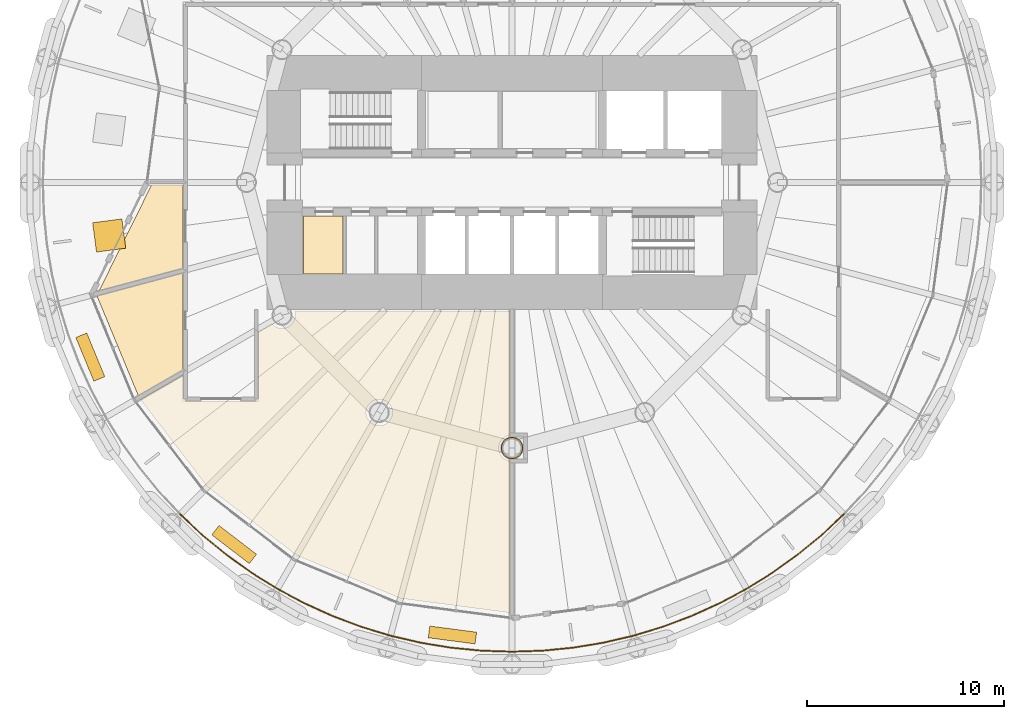
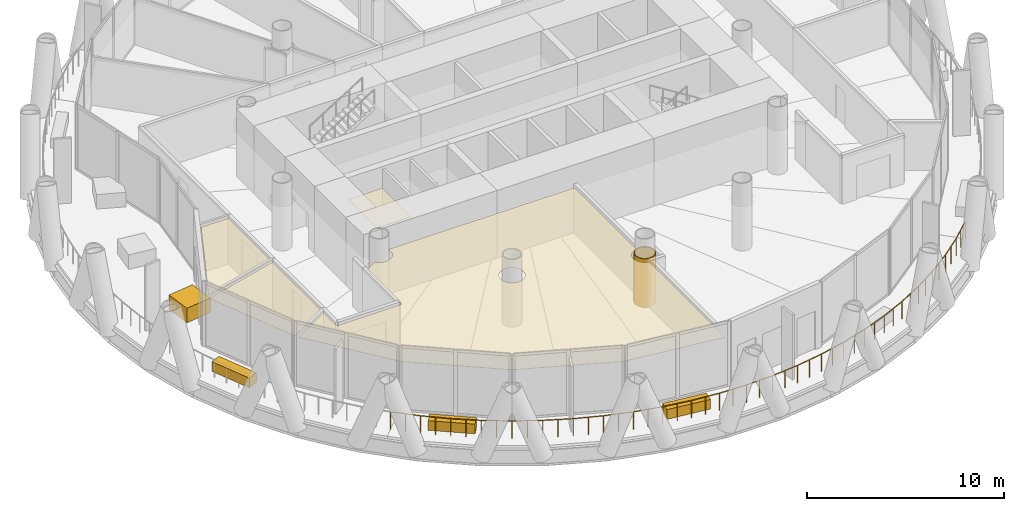
# One storey, part 13 of 16: 9 coverings, 1 railing.
"""IFC4 building model written with IfcOpenShell, lengths in metres."""

import ifcopenshell
import ifcopenshell.guid

model = None  # the IFC model being written
_history = None  # IfcOwnerHistory: only IFC2X3 demands one
_inside = {}  # id of a spatial element -> (the spatial element, [elements in it])
_under = {}  # id of a project, library or spatial element -> (it, [spatial elements below it])
_declared = {}  # id of a project -> (the project, [libraries it declares])
_typed = {}  # id of a type object -> (the type object, [elements of that type])
_made_of = {}  # id of a material, layer set ... -> (it, [elements and type objects made of it])


def new_model(schema):
    """Start an empty IFC model of exactly this schema.

    Asked for "IFC4X3", IfcOpenShell would pick the latest addendum, in which some entities
    have other attributes; the version numbers below select the first issue.
    IFC2X3 requires an IfcOwnerHistory on every rooted entity: one is made here for all.
    """
    global model, _history
    if schema == "IFC4X3":
        model = ifcopenshell.file(schema_version=(4, 3, 0, 0))
    else:
        model = ifcopenshell.file(schema=schema)
    _inside.clear()
    _under.clear()
    _declared.clear()
    _typed.clear()
    _made_of.clear()
    _history = None
    if model.schema == "IFC2X3":
        org = make("IfcOrganization", Name="unknown")
        user = make(
            "IfcPersonAndOrganization",
            ThePerson=make("IfcPerson", FamilyName="unknown"),
            TheOrganization=org,
        )
        app = make(
            "IfcApplication",
            ApplicationDeveloper=org,
            Version="unknown",
            ApplicationFullName="unknown",
            ApplicationIdentifier="unknown",
        )
        _history = make(
            "IfcOwnerHistory",
            OwningUser=user,
            OwningApplication=app,
            ChangeAction="ADDED",
            CreationDate=0,
        )
    return model


def make(cls, **values):
    """One entity of the class cls with the attributes given. An attribute that is None is left unset."""
    return model.create_entity(
        cls, **{name: value for name, value in values.items() if value is not None}
    )


def rooted(cls, **values):
    """An entity with a GlobalId (a new one), such as an element, a storey or a relation."""
    return make(cls, GlobalId=ifcopenshell.guid.new(), OwnerHistory=_history, **values)


def si_unit(unit_type, name, prefix=None):
    """IfcSIUnit, for example si_unit("LENGTHUNIT", "METRE", prefix="MILLI")."""
    return make("IfcSIUnit", UnitType=unit_type, Prefix=prefix, Name=name)


def assignment(units):
    """IfcUnitAssignment: the units of a project."""
    return None if units is None else make("IfcUnitAssignment", Units=units)


def point(xyz):
    """IfcCartesianPoint."""
    return None if xyz is None else make("IfcCartesianPoint", Coordinates=xyz)


def direction(xyz):
    """IfcDirection."""
    return None if xyz is None else make("IfcDirection", DirectionRatios=xyz)


def frame(location, z_axis=None, x_axis=None):
    """IfcAxis2Placement3D, a coordinate frame: its origin and axes. An axis left out is left unset."""
    return make(
        "IfcAxis2Placement3D",
        Location=point(location),
        Axis=direction(z_axis),
        RefDirection=direction(x_axis),
    )


def frame_2d(location, x_axis=None):
    """IfcAxis2Placement2D, a coordinate frame in the plane: its origin and x axis."""
    return make(
        "IfcAxis2Placement2D", Location=point(location), RefDirection=direction(x_axis)
    )


def origin():
    """The frame at (0, 0, 0) with its axes left unset."""
    return frame((0.0, 0.0, 0.0))


def origin_2d():
    """The frame at (0, 0) in the plane with its x axis left unset."""
    return frame_2d((0.0, 0.0))


def place(relative_to, where):
    """IfcLocalPlacement: puts the frame where relative to a parent placement (None: the world)."""
    return make(
        "IfcLocalPlacement", PlacementRelTo=relative_to, RelativePlacement=where
    )


def context(
    kind, dimensions, precision=None, world=None, true_north=None, identifier=None
):
    """IfcGeometricRepresentationContext, for example the 3D "Model" context."""
    return make(
        "IfcGeometricRepresentationContext",
        ContextIdentifier=identifier,
        ContextType=kind,
        CoordinateSpaceDimension=dimensions,
        Precision=precision,
        WorldCoordinateSystem=world,
        TrueNorth=true_north,
    )


def subcontext(parent, identifier, kind, view, scale=None):
    """IfcGeometricRepresentationSubContext, for example "Body" below "Model"."""
    return make(
        "IfcGeometricRepresentationSubContext",
        ContextIdentifier=identifier,
        ContextType=kind,
        ParentContext=parent,
        TargetScale=scale,
        TargetView=view,
    )


def project(units=None, contexts=None):
    """IfcProject with its units and contexts."""
    return rooted(
        "IfcProject",
        Name="project",
        RepresentationContexts=contexts,
        UnitsInContext=assignment(units),
    )


def spatial(cls, under=None, at=None, **own):
    """A site, building, storey or space (cls), placed at a placement, below another one or the project."""
    s = rooted(cls, ObjectPlacement=at, **own)
    if under is not None:
        _under.setdefault(under.id(), (under, []))[1].append(s)
    return s


def polyline(points):
    """IfcPolyline through the points."""
    return make("IfcPolyline", Points=[point(p) for p in points])


def profile(cls, at=None, kind="AREA", **sizes):
    """A parametric profile (cls). Its sizes go by their IFC names, for example OverallWidth=200.0."""
    return make(cls, ProfileType=kind, Position=at, **sizes)


def rectangle(**sizes):
    """IfcRectangleProfileDef."""
    return profile("IfcRectangleProfileDef", **sizes)


def circle(**sizes):
    """IfcCircleProfileDef."""
    return profile("IfcCircleProfileDef", **sizes)


def outline(outer, holes=None, kind="AREA"):
    """IfcArbitraryClosedProfileDef: a profile drawn as a closed curve; with holes, ...WithVoids."""
    if holes is None:
        return make("IfcArbitraryClosedProfileDef", ProfileType=kind, OuterCurve=outer)
    return make(
        "IfcArbitraryProfileDefWithVoids",
        ProfileType=kind,
        OuterCurve=outer,
        InnerCurves=holes,
    )


def extrude(swept, where, along, depth):
    """IfcExtrudedAreaSolid: the profile swept, set in the frame where, extruded along a direction by depth."""
    return make(
        "IfcExtrudedAreaSolid",
        SweptArea=swept,
        Position=where,
        ExtrudedDirection=direction(along),
        Depth=depth,
    )


def shape(context_of_items, identifier, shape_type, items):
    """IfcShapeRepresentation: the items that make up one representation, for example the "Body"."""
    return make(
        "IfcShapeRepresentation",
        ContextOfItems=context_of_items,
        RepresentationIdentifier=identifier,
        RepresentationType=shape_type,
        Items=items,
    )


def material(Name=None, Category=None):
    """IfcMaterial."""
    return make("IfcMaterial", Name=Name, Category=Category)


def layer(
    of_material, thickness, ventilated=None, Name=None, Category=None, Priority=None
):
    """IfcMaterialLayer: one layer of a wall or slab, of a material (None: an air gap)."""
    return make(
        "IfcMaterialLayer",
        Material=of_material,
        LayerThickness=thickness,
        IsVentilated=ventilated,
        Name=Name,
        Category=Category,
        Priority=Priority,
    )


def layer_set(layers, Name=None):
    """IfcMaterialLayerSet."""
    return make("IfcMaterialLayerSet", MaterialLayers=layers, LayerSetName=Name)


def made_of(thing, what):
    """Note that an element or type object is made of a material, layer set ...; save() writes the relation."""
    if what is not None:
        _made_of.setdefault(what.id(), (what, []))[1].append(thing)
    return thing


def type_object(cls, material=None, **own):
    """A type object (cls), such as IfcWallType, which elements share."""
    return made_of(rooted(cls, **own), material)


def element(
    cls,
    number,
    at=None,
    inside=None,
    cuts=None,
    type_object=None,
    material=None,
    context=None,
    identifier="Body",
    shape_type=None,
    held_by="IfcProductDefinitionShape",
    body=None,
    shapes=None,
    **own,
):
    """One element of the class cls, such as IfcWall. Its Tag is "e" and its number.

    at: its placement. inside: the storey or other place that contains it. cuts: it is an
    opening in that element (IfcRelVoidsElement). A single representation is given by context,
    identifier, shape_type and body (its items); several are given by shapes. held_by: the class
    of the entity that holds the representations. save() writes the other relations.
    """
    e = rooted(cls, Tag="e%d" % number, ObjectPlacement=at, **own)
    if body is not None:
        shapes = [shape(context, identifier, shape_type, body)]
    if shapes is not None:
        e.Representation = make(held_by, Representations=shapes)
    if inside is not None:
        _inside.setdefault(inside.id(), (inside, []))[1].append(e)
    if cuts is not None:
        rooted(
            "IfcRelVoidsElement", RelatingBuildingElement=cuts, RelatedOpeningElement=e
        )
    if type_object is not None:
        _typed.setdefault(type_object.id(), (type_object, []))[1].append(e)
    return made_of(e, material)


def aggregate(whole, parts):
    """IfcRelAggregates: a whole, such as a stair, and the parts it consists of."""
    return rooted("IfcRelAggregates", RelatingObject=whole, RelatedObjects=parts)


def save(model, path):
    """Write the relations noted so far, then the file.

    IfcRelAggregates (storeys below a building ...), IfcRelContainedInSpatialStructure (elements
    in a storey), IfcRelDefinesByType, IfcRelAssociatesMaterial and IfcRelDeclares: one each for
    every whole, place, type object, material and project.
    """
    for whole, parts in _under.values():
        aggregate(whole, parts)
    for where, things in _inside.values():
        rooted(
            "IfcRelContainedInSpatialStructure",
            RelatedElements=things,
            RelatingStructure=where,
        )
    for kind, things in _typed.values():
        rooted("IfcRelDefinesByType", RelatedObjects=things, RelatingType=kind)
    for what, things in _made_of.values():
        rooted("IfcRelAssociatesMaterial", RelatedObjects=things, RelatingMaterial=what)
    for by, libraries in _declared.values():
        rooted("IfcRelDeclares", RelatingContext=by, RelatedDefinitions=libraries)
    model.write(path)


model = new_model("IFC4")

# Units and contexts
model_context = context("Model", 3, precision=1e-05, world=origin(), true_north=direction((0.0, 1.0)))
body_context = subcontext(model_context, "Body", "Model", "MODEL_VIEW")
ifc_project = project(units=[si_unit("LENGTHUNIT", "METRE"), si_unit("AREAUNIT", "SQUARE_METRE"), si_unit("VOLUMEUNIT", "CUBIC_METRE"), si_unit("PLANEANGLEUNIT", "RADIAN"), si_unit("MASSUNIT", "GRAM", prefix="KILO")], contexts=[model_context])

# Site, building, storey
site_placement = place(None, origin())
site = spatial("IfcSite", under=ifc_project, at=site_placement, CompositionType="ELEMENT")
building_placement = place(site_placement, origin())
building = spatial("IfcBuilding", under=site, at=building_placement, Name="Qaws Media Tower", CompositionType="ELEMENT")
storey_placement = place(building_placement, frame((0.0, 0.0, 173.0)))
storey = spatial("IfcBuildingStorey", under=building, at=storey_placement, Name="L39", CompositionType="ELEMENT", Elevation=173.0)

# Railing
ifc_material_1 = material(Name="Stainless steel and glass guard", Category="steel")
railing_type = type_object("IfcRailingType", Name="Balcony guard 1100", PredefinedType="GUARDRAIL", material=ifc_material_1)
railing_placement = place(storey_placement, frame((43.135498046875, 33.135498046875, 0.0)))
element("IfcRailing", 1, at=railing_placement, inside=storey, type_object=railing_type, Name="GR1 balcony guard L39-3", PredefinedType="GUARDRAIL", context=body_context, shape_type="SweptSolid", body=[
    extrude(circle(Radius=0.02392578125, at=origin_2d()), frame((0.0, 0.0, 1.076171875), z_axis=(0.729878581292, -0.683576811025, 0.0), x_axis=(0.683576811025, 0.729878581292, 0.0)), (0.0, 0.0, 1.0), 1.560791015625),
    extrude(circle(Radius=0.02392578125, at=origin_2d()), frame((1.13916015625, -1.06689453125, 1.076171875), z_axis=(0.773008451366, -0.634395723596, 0.0), x_axis=(0.634395723596, 0.773008451366, 0.0)), (0.0, 0.0, 1.0), 1.560546875),
    extrude(circle(Radius=0.02392578125, at=origin_2d()), frame((2.345458984375, -2.056884765625, 1.076171875), z_axis=(0.812855388371, -0.582465550566, 0.0), x_axis=(0.582465550566, 0.812855388371, 0.0)), (0.0, 0.0, 1.0), 1.56103515625),
    extrude(circle(Radius=0.02392578125, at=origin_2d()), frame((3.6142578125, -2.966064453125, 1.076171875), z_axis=(0.849156389443, -0.528141483191, 0.0), x_axis=(0.528141483191, 0.849156389443, 0.0)), (0.0, 0.0, 1.0), 1.560546875),
    extrude(circle(Radius=0.02392578125, at=origin_2d()), frame((4.939453125, -3.790283203125, 1.076171875), z_axis=(0.881958577003, -0.471326923113, 0.0), x_axis=(0.471326923113, 0.881958577003, 0.0)), (0.0, 0.0, 1.0), 1.560791015625),
    extrude(circle(Radius=0.02392578125, at=origin_2d()), frame((6.31591796875, -4.52587890625, 1.076171875), z_axis=(0.910885403553, -0.412659401438, 0.0), x_axis=(0.412659401438, 0.910885403553, 0.0)), (0.0, 0.0, 1.0), 1.560791015625),
    extrude(circle(Radius=0.02392578125, at=origin_2d()), frame((7.737548828125, -5.169921875, 1.076171875), z_axis=(0.935897765459, -0.352271731208, 0.0), x_axis=(0.352271731208, 0.935897765459, 0.0)), (0.0, 0.0, 1.0), 1.560791015625),
    extrude(circle(Radius=0.02392578125, at=origin_2d()), frame((9.1982421875, -5.7197265625, 1.076171875), z_axis=(0.956921720101, -0.290346037683, 0.0), x_axis=(0.290346037683, 0.956921720101, 0.0)), (0.0, 0.0, 1.0), 1.560546875),
    extrude(circle(Radius=0.02392578125, at=origin_2d()), frame((10.691650390625, -6.1728515625, 1.076171875), z_axis=(0.973866586777, -0.227120829425, 0.0), x_axis=(0.227120829425, 0.973866586777, 0.0)), (0.0, 0.0, 1.0), 1.560791015625),
    extrude(circle(Radius=0.02392578125, at=origin_2d()), frame((12.211669921875, -6.52734375, 1.076171875), z_axis=(0.986650620289, -0.162851323247, 0.0), x_axis=(0.162851323247, 0.986650620289, 0.0)), (0.0, 0.0, 1.0), 1.560546875),
    extrude(circle(Radius=0.02392578125, at=origin_2d()), frame((13.75146484375, -6.781494140625, 1.076171875), z_axis=(0.995193912784, -0.097923827319, 0.0), x_axis=(0.097923827319, 0.995193912784, 0.0)), (0.0, 0.0, 1.0), 1.560791015625),
    extrude(circle(Radius=0.02392578125, at=origin_2d()), frame((15.3046875, -6.934326171875, 1.076171875), z_axis=(0.999460251937, -0.032851252607, 0.0), x_axis=(0.032851252607, 0.999460251937, 0.0)), (0.0, 0.0, 1.0), 1.560546875),
    extrude(circle(Radius=0.02392578125, at=origin_2d()), frame((16.864501953125, -6.985595703125, 1.076171875), z_axis=(0.999460251937, 0.032851252607, 0.0), x_axis=(-0.032851252607, 0.999460251937, 0.0)), (0.0, 0.0, 1.0), 1.560546875),
    extrude(circle(Radius=0.02392578125, at=origin_2d()), frame((18.42431640625, -6.934326171875, 1.076171875), z_axis=(0.995193912784, 0.097923827319, 0.0), x_axis=(-0.097923827319, 0.995193912784, 0.0)), (0.0, 0.0, 1.0), 1.560791015625),
    extrude(circle(Radius=0.02392578125, at=origin_2d()), frame((19.9775390625, -6.781494140625, 1.076171875), z_axis=(0.986650620289, 0.162851323247, 0.0), x_axis=(-0.162851323247, 0.986650620289, 0.0)), (0.0, 0.0, 1.0), 1.560546875),
    extrude(circle(Radius=0.02392578125, at=origin_2d()), frame((21.517333984375, -6.52734375, 1.076171875), z_axis=(0.973866586777, 0.227120829425, 0.0), x_axis=(-0.227120829425, 0.973866586777, 0.0)), (0.0, 0.0, 1.0), 1.560791015625),
    extrude(circle(Radius=0.02392578125, at=origin_2d()), frame((23.037353515625, -6.1728515625, 1.076171875), z_axis=(0.956921720101, 0.290346037683, 0.0), x_axis=(-0.290346037683, 0.956921720101, 0.0)), (0.0, 0.0, 1.0), 1.560546875),
    extrude(circle(Radius=0.02392578125, at=origin_2d()), frame((24.53076171875, -5.7197265625, 1.076171875), z_axis=(0.935897765459, 0.352271731208, 0.0), x_axis=(-0.352271731208, 0.935897765459, 0.0)), (0.0, 0.0, 1.0), 1.560791015625),
    extrude(circle(Radius=0.02392578125, at=origin_2d()), frame((25.991455078125, -5.169921875, 1.076171875), z_axis=(0.910885403553, 0.412659401438, 0.0), x_axis=(-0.412659401438, 0.910885403553, 0.0)), (0.0, 0.0, 1.0), 1.560791015625),
    extrude(circle(Radius=0.02392578125, at=origin_2d()), frame((27.4130859375, -4.52587890625, 1.076171875), z_axis=(0.881958577003, 0.471326923113, 0.0), x_axis=(-0.471326923113, 0.881958577003, 0.0)), (0.0, 0.0, 1.0), 1.560791015625),
    extrude(circle(Radius=0.02392578125, at=origin_2d()), frame((28.78955078125, -3.790283203125, 1.076171875), z_axis=(0.849156389443, 0.528141483191, 0.0), x_axis=(-0.528141483191, 0.849156389443, 0.0)), (0.0, 0.0, 1.0), 1.560546875),
    extrude(circle(Radius=0.02392578125, at=origin_2d()), frame((30.11474609375, -2.966064453125, 1.076171875), z_axis=(0.812855388371, 0.582465550566, 0.0), x_axis=(-0.582465550566, 0.812855388371, 0.0)), (0.0, 0.0, 1.0), 1.56103515625),
    extrude(circle(Radius=0.02392578125, at=origin_2d()), frame((31.383544921875, -2.056884765625, 1.076171875), z_axis=(0.773008451366, 0.634395723596, 0.0), x_axis=(-0.634395723596, 0.773008451366, 0.0)), (0.0, 0.0, 1.0), 1.560546875),
    extrude(circle(Radius=0.02392578125, at=origin_2d()), frame((32.58984375, -1.06689453125, 1.076171875), z_axis=(0.729878581292, 0.683576811025, 0.0), x_axis=(-0.683576811025, 0.729878581292, 0.0)), (0.0, 0.0, 1.0), 1.560791015625),
    extrude(circle(Radius=0.02099609375, at=origin_2d()), origin(), (0.0, 0.0, 1.0), 1.052001953125),
    extrude(circle(Radius=0.02099609375, at=origin_2d()), frame((0.569580078125, -0.533447265625, 0.0)), (0.0, 0.0, 1.0), 1.052001953125),
    extrude(circle(Radius=0.02099609375, at=origin_2d()), frame((1.13916015625, -1.06689453125, 0.0)), (0.0, 0.0, 1.0), 1.052001953125),
    extrude(circle(Radius=0.02099609375, at=origin_2d()), frame((1.7421875, -1.56201171875, 0.0)), (0.0, 0.0, 1.0), 1.052001953125),
    extrude(circle(Radius=0.02099609375, at=origin_2d()), frame((2.345458984375, -2.056884765625, 0.0)), (0.0, 0.0, 1.0), 1.052001953125),
    extrude(circle(Radius=0.02099609375, at=origin_2d()), frame((2.97998046875, -2.511474609375, 0.0)), (0.0, 0.0, 1.0), 1.052001953125),
    extrude(circle(Radius=0.02099609375, at=origin_2d()), frame((3.6142578125, -2.966064453125, 0.0)), (0.0, 0.0, 1.0), 1.052001953125),
    extrude(circle(Radius=0.02099609375, at=origin_2d()), frame((4.27685546875, -3.378173828125, 0.0)), (0.0, 0.0, 1.0), 1.052001953125),
    extrude(circle(Radius=0.02099609375, at=origin_2d()), frame((4.939453125, -3.790283203125, 0.0)), (0.0, 0.0, 1.0), 1.052001953125),
    extrude(circle(Radius=0.02099609375, at=origin_2d()), frame((5.627685546875, -4.158203125, 0.0)), (0.0, 0.0, 1.0), 1.052001953125),
    extrude(circle(Radius=0.02099609375, at=origin_2d()), frame((6.31591796875, -4.52587890625, 0.0)), (0.0, 0.0, 1.0), 1.052001953125),
    extrude(circle(Radius=0.02099609375, at=origin_2d()), frame((7.02685546875, -4.847900390625, 0.0)), (0.0, 0.0, 1.0), 1.052001953125),
    extrude(circle(Radius=0.02099609375, at=origin_2d()), frame((7.737548828125, -5.169921875, 0.0)), (0.0, 0.0, 1.0), 1.052001953125),
    extrude(circle(Radius=0.02099609375, at=origin_2d()), frame((8.4677734375, -5.44482421875, 0.0)), (0.0, 0.0, 1.0), 1.052001953125),
    extrude(circle(Radius=0.02099609375, at=origin_2d()), frame((9.1982421875, -5.7197265625, 0.0)), (0.0, 0.0, 1.0), 1.052001953125),
    extrude(circle(Radius=0.02099609375, at=origin_2d()), frame((9.94482421875, -5.9462890625, 0.0)), (0.0, 0.0, 1.0), 1.052001953125),
    extrude(circle(Radius=0.02099609375, at=origin_2d()), frame((10.691650390625, -6.1728515625, 0.0)), (0.0, 0.0, 1.0), 1.052001953125),
    extrude(circle(Radius=0.02099609375, at=origin_2d()), frame((11.45166015625, -6.35009765625, 0.0)), (0.0, 0.0, 1.0), 1.052001953125),
    extrude(circle(Radius=0.02099609375, at=origin_2d()), frame((12.211669921875, -6.52734375, 0.0)), (0.0, 0.0, 1.0), 1.052001953125),
    extrude(circle(Radius=0.02099609375, at=origin_2d()), frame((12.9814453125, -6.654296875, 0.0)), (0.0, 0.0, 1.0), 1.052001953125),
    extrude(circle(Radius=0.02099609375, at=origin_2d()), frame((13.75146484375, -6.781494140625, 0.0)), (0.0, 0.0, 1.0), 1.052001953125),
    extrude(circle(Radius=0.02099609375, at=origin_2d()), frame((14.528076171875, -6.85791015625, 0.0)), (0.0, 0.0, 1.0), 1.052001953125),
    extrude(circle(Radius=0.02099609375, at=origin_2d()), frame((15.3046875, -6.934326171875, 0.0)), (0.0, 0.0, 1.0), 1.052001953125),
    extrude(circle(Radius=0.02099609375, at=origin_2d()), frame((16.08447265625, -6.9599609375, 0.0)), (0.0, 0.0, 1.0), 1.052001953125),
    extrude(circle(Radius=0.02099609375, at=origin_2d()), frame((16.864501953125, -6.985595703125, 0.0)), (0.0, 0.0, 1.0), 1.052001953125),
    extrude(circle(Radius=0.02099609375, at=origin_2d()), frame((17.64453125, -6.9599609375, 0.0)), (0.0, 0.0, 1.0), 1.052001953125),
    extrude(circle(Radius=0.02099609375, at=origin_2d()), frame((18.42431640625, -6.934326171875, 0.0)), (0.0, 0.0, 1.0), 1.052001953125),
    extrude(circle(Radius=0.02099609375, at=origin_2d()), frame((19.200927734375, -6.85791015625, 0.0)), (0.0, 0.0, 1.0), 1.052001953125),
    extrude(circle(Radius=0.02099609375, at=origin_2d()), frame((19.9775390625, -6.781494140625, 0.0)), (0.0, 0.0, 1.0), 1.052001953125),
    extrude(circle(Radius=0.02099609375, at=origin_2d()), frame((20.74755859375, -6.654296875, 0.0)), (0.0, 0.0, 1.0), 1.052001953125),
    extrude(circle(Radius=0.02099609375, at=origin_2d()), frame((21.517333984375, -6.52734375, 0.0)), (0.0, 0.0, 1.0), 1.052001953125),
    extrude(circle(Radius=0.02099609375, at=origin_2d()), frame((22.27734375, -6.35009765625, 0.0)), (0.0, 0.0, 1.0), 1.052001953125),
    extrude(circle(Radius=0.02099609375, at=origin_2d()), frame((23.037353515625, -6.1728515625, 0.0)), (0.0, 0.0, 1.0), 1.052001953125),
    extrude(circle(Radius=0.02099609375, at=origin_2d()), frame((23.7841796875, -5.9462890625, 0.0)), (0.0, 0.0, 1.0), 1.052001953125),
    extrude(circle(Radius=0.02099609375, at=origin_2d()), frame((24.53076171875, -5.7197265625, 0.0)), (0.0, 0.0, 1.0), 1.052001953125),
    extrude(circle(Radius=0.02099609375, at=origin_2d()), frame((25.26123046875, -5.44482421875, 0.0)), (0.0, 0.0, 1.0), 1.052001953125),
    extrude(circle(Radius=0.02099609375, at=origin_2d()), frame((25.991455078125, -5.169921875, 0.0)), (0.0, 0.0, 1.0), 1.052001953125),
    extrude(circle(Radius=0.02099609375, at=origin_2d()), frame((26.7021484375, -4.847900390625, 0.0)), (0.0, 0.0, 1.0), 1.052001953125),
    extrude(circle(Radius=0.02099609375, at=origin_2d()), frame((27.4130859375, -4.52587890625, 0.0)), (0.0, 0.0, 1.0), 1.052001953125),
    extrude(circle(Radius=0.02099609375, at=origin_2d()), frame((28.101318359375, -4.158203125, 0.0)), (0.0, 0.0, 1.0), 1.052001953125),
    extrude(circle(Radius=0.02099609375, at=origin_2d()), frame((28.78955078125, -3.790283203125, 0.0)), (0.0, 0.0, 1.0), 1.052001953125),
    extrude(circle(Radius=0.02099609375, at=origin_2d()), frame((29.4521484375, -3.378173828125, 0.0)), (0.0, 0.0, 1.0), 1.052001953125),
    extrude(circle(Radius=0.02099609375, at=origin_2d()), frame((30.11474609375, -2.966064453125, 0.0)), (0.0, 0.0, 1.0), 1.052001953125),
    extrude(circle(Radius=0.02099609375, at=origin_2d()), frame((30.7490234375, -2.511474609375, 0.0)), (0.0, 0.0, 1.0), 1.052001953125),
    extrude(circle(Radius=0.02099609375, at=origin_2d()), frame((31.383544921875, -2.056884765625, 0.0)), (0.0, 0.0, 1.0), 1.052001953125),
    extrude(circle(Radius=0.02099609375, at=origin_2d()), frame((31.98681640625, -1.56201171875, 0.0)), (0.0, 0.0, 1.0), 1.052001953125),
    extrude(circle(Radius=0.02099609375, at=origin_2d()), frame((32.58984375, -1.06689453125, 0.0)), (0.0, 0.0, 1.0), 1.052001953125),
    extrude(circle(Radius=0.02099609375, at=origin_2d()), frame((33.159423828125, -0.533447265625, 0.0)), (0.0, 0.0, 1.0), 1.052001953125),
    extrude(circle(Radius=0.02099609375, at=origin_2d()), frame((33.72900390625, 0.0, 0.0)), (0.0, 0.0, 1.0), 1.052001953125),
])

# Coverings
ifc_material_2 = material(Name="Two layers 15 fire-rated gypsum board on steel framing", Category="steel")
ifc_layer_1 = layer(ifc_material_2, 0.050048828125)
ifc_layer_set_1 = layer_set([ifc_layer_1], Name="Column fire casing")
covering_type_1 = type_object("IfcCoveringType", Name="Column fire casing", PredefinedType="CLADDING", material=ifc_layer_set_1)
covering_1_placement = place(storey_placement, origin())
element("IfcCovering", 2, at=covering_1_placement, inside=storey, type_object=covering_type_1, Name="CC1 column casing L39", PredefinedType="CLADDING", context=body_context, shape_type="SweptSolid", body=[
    extrude(outline(polyline([(60.56298828125, 36.5), (60.55810546875, 36.426513671875), (60.543701171875, 36.354248046875), (60.52001953125, 36.284423828125), (60.487548828125, 36.218505859375), (60.44677734375, 36.1572265625), (60.398193359375, 36.101806640625), (60.3427734375, 36.05322265625), (60.281494140625, 36.012451171875), (60.215576171875, 35.97998046875), (60.145751953125, 35.956298828125), (60.073486328125, 35.94189453125), (60.0, 35.93701171875), (59.926513671875, 35.94189453125), (59.854248046875, 35.956298828125), (59.784423828125, 35.97998046875), (59.718505859375, 36.012451171875), (59.6572265625, 36.05322265625), (59.601806640625, 36.101806640625), (59.55322265625, 36.1572265625), (59.512451171875, 36.218505859375), (59.47998046875, 36.284423828125), (59.456298828125, 36.354248046875), (59.44189453125, 36.426513671875), (59.43701171875, 36.5), (59.44189453125, 36.573486328125), (59.456298828125, 36.645751953125), (59.47998046875, 36.715576171875), (59.512451171875, 36.781494140625), (59.55322265625, 36.8427734375), (59.601806640625, 36.898193359375), (59.6572265625, 36.94677734375), (59.718505859375, 36.987548828125), (59.784423828125, 37.02001953125), (59.854248046875, 37.043701171875), (59.926513671875, 37.05810546875), (60.0, 37.06298828125), (60.073486328125, 37.05810546875), (60.145751953125, 37.043701171875), (60.215576171875, 37.02001953125), (60.281494140625, 36.987548828125), (60.3427734375, 36.94677734375), (60.398193359375, 36.898193359375), (60.44677734375, 36.8427734375), (60.487548828125, 36.781494140625), (60.52001953125, 36.715576171875), (60.543701171875, 36.645751953125), (60.55810546875, 36.573486328125), (60.56298828125, 36.5)]), holes=[polyline([(60.510986328125, 36.5), (60.506591796875, 36.433349609375), (60.49365234375, 36.36767578125), (60.47216796875, 36.304443359375), (60.4423828125, 36.244384765625), (60.405517578125, 36.18896484375), (60.361328125, 36.138671875), (60.31103515625, 36.094482421875), (60.255615234375, 36.0576171875), (60.195556640625, 36.02783203125), (60.13232421875, 36.00634765625), (60.066650390625, 35.993408203125), (60.0, 35.989013671875), (59.933349609375, 35.993408203125), (59.86767578125, 36.00634765625), (59.804443359375, 36.02783203125), (59.744384765625, 36.0576171875), (59.68896484375, 36.094482421875), (59.638671875, 36.138671875), (59.594482421875, 36.18896484375), (59.5576171875, 36.244384765625), (59.52783203125, 36.304443359375), (59.50634765625, 36.36767578125), (59.493408203125, 36.433349609375), (59.489013671875, 36.5), (59.493408203125, 36.566650390625), (59.50634765625, 36.63232421875), (59.52783203125, 36.695556640625), (59.5576171875, 36.755615234375), (59.594482421875, 36.81103515625), (59.638671875, 36.861328125), (59.68896484375, 36.905517578125), (59.744384765625, 36.9423828125), (59.804443359375, 36.97216796875), (59.86767578125, 36.99365234375), (59.933349609375, 37.006591796875), (60.0, 37.010986328125), (60.066650390625, 37.006591796875), (60.13232421875, 36.99365234375), (60.195556640625, 36.97216796875), (60.255615234375, 36.9423828125), (60.31103515625, 36.905517578125), (60.361328125, 36.861328125), (60.405517578125, 36.81103515625), (60.4423828125, 36.755615234375), (60.47216796875, 36.695556640625), (60.49365234375, 36.63232421875), (60.506591796875, 36.566650390625), (60.510986328125, 36.5)])]), origin(), (0.0, 0.0, 1.0), 3.011962890625),
])
ifc_material_3 = material(Name="600 x 600 mineral fibre tiles in exposed grid, suspended", Category="mineral fibre")
ifc_layer_2 = layer(ifc_material_3, 0.02001953125)
ifc_layer_set_2 = layer_set([ifc_layer_2], Name="Mineral fibre tile ceiling 20")
covering_type_2 = type_object("IfcCoveringType", Name="Mineral fibre tile ceiling 20", PredefinedType="CEILING", material=ifc_layer_set_2)
covering_2_placement = place(storey_placement, frame((0.0, 0.0, 2.85009765625)))
element("IfcCovering", 3, at=covering_2_placement, inside=storey, type_object=covering_type_2, Name="CL1 ceiling L39-08 Office", PredefinedType="CEILING", context=body_context, shape_type="SweptSolid", body=[
    extrude(outline(polyline([(43.28759765625, 45.405517578125), (43.28759765625, 40.48095703125), (41.00341796875, 39.162109375), (38.90380859375, 44.23095703125), (43.28759765625, 45.405517578125)])), origin(), (0.0, 0.0, 1.0), 0.02001953125),
])
covering_3_placement = place(storey_placement, frame((0.0, 0.0, 2.85009765625)))
element("IfcCovering", 4, at=covering_3_placement, inside=storey, type_object=covering_type_2, Name="CL1 ceiling L39-09 Communications office", PredefinedType="CEILING", context=body_context, shape_type="SweptSolid", body=[
    extrude(outline(polyline([(54.335693359375, 28.860595703125), (49.057373046875, 31.046875), (44.52490234375, 34.52490234375), (41.115966796875, 38.96728515625), (43.28759765625, 40.22119140625), (43.28759765625, 38.887451171875), (47.112548828125, 38.887451171875), (47.112548828125, 42.429443359375), (47.795654296875, 42.823974609375), (47.836181640625, 42.777587890625), (47.902099609375, 42.719970703125), (47.974609375, 42.67138671875), (48.052978515625, 42.6328125), (48.1357421875, 42.604736328125), (48.221435546875, 42.587646484375), (48.30859375, 42.58203125), (48.395751953125, 42.587646484375), (48.4814453125, 42.604736328125), (48.564208984375, 42.6328125), (48.642578125, 42.67138671875), (48.71533203125, 42.719970703125), (48.781005859375, 42.777587890625), (48.838623046875, 42.84326171875), (48.88720703125, 42.916015625), (48.92578125, 42.994384765625), (48.953857421875, 43.0771484375), (48.970947265625, 43.162841796875), (48.976806640625, 43.25), (48.970947265625, 43.337158203125), (48.953857421875, 43.4228515625), (48.948974609375, 43.4375), (59.887451171875, 43.4375), (59.887451171875, 37.1572265625), (59.8271484375, 37.145263671875), (59.744384765625, 37.1171875), (59.666015625, 37.07861328125), (59.59326171875, 37.030029296875), (59.527587890625, 36.972412109375), (59.469970703125, 36.90673828125), (59.42138671875, 36.833984375), (59.3828125, 36.755615234375), (59.354736328125, 36.6728515625), (59.337646484375, 36.587158203125), (59.33203125, 36.5), (59.337646484375, 36.412841796875), (59.354736328125, 36.3271484375), (59.3828125, 36.244384765625), (59.42138671875, 36.166015625), (59.469970703125, 36.09326171875), (59.527587890625, 36.027587890625), (59.59326171875, 35.969970703125), (59.666015625, 35.92138671875), (59.744384765625, 35.8828125), (59.8271484375, 35.854736328125), (59.887451171875, 35.8427734375), (59.887451171875, 28.129638671875), (54.335693359375, 28.860595703125)]), holes=[polyline([(53.895263671875, 38.1357421875), (53.912353515625, 38.221435546875), (53.91796875, 38.30859375), (53.912353515625, 38.395751953125), (53.895263671875, 38.4814453125), (53.8671875, 38.564208984375), (53.82861328125, 38.642578125), (53.780029296875, 38.71533203125), (53.722412109375, 38.781005859375), (53.65673828125, 38.838623046875), (53.583984375, 38.88720703125), (53.505615234375, 38.92578125), (53.4228515625, 38.953857421875), (53.337158203125, 38.970947265625), (53.25, 38.976806640625), (53.162841796875, 38.970947265625), (53.0771484375, 38.953857421875), (52.994384765625, 38.92578125), (52.916015625, 38.88720703125), (52.84326171875, 38.838623046875), (52.777587890625, 38.781005859375), (52.719970703125, 38.71533203125), (52.67138671875, 38.642578125), (52.6328125, 38.564208984375), (52.604736328125, 38.4814453125), (52.587646484375, 38.395751953125), (52.58203125, 38.30859375), (52.587646484375, 38.221435546875), (52.604736328125, 38.1357421875), (52.6328125, 38.052978515625), (52.67138671875, 37.974609375), (52.719970703125, 37.902099609375), (52.777587890625, 37.836181640625), (52.84326171875, 37.77880859375), (52.916015625, 37.730224609375), (52.994384765625, 37.69140625), (53.0771484375, 37.663330078125), (53.162841796875, 37.646484375), (53.25, 37.640625), (53.337158203125, 37.646484375), (53.4228515625, 37.663330078125), (53.505615234375, 37.69140625), (53.583984375, 37.730224609375), (53.65673828125, 37.77880859375), (53.722412109375, 37.836181640625), (53.780029296875, 37.902099609375), (53.82861328125, 37.974609375), (53.8671875, 38.052978515625), (53.895263671875, 38.1357421875)])]), origin(), (0.0, 0.0, 1.0), 0.02001953125),
])
covering_4_placement = place(storey_placement, frame((0.0, 0.0, 2.85009765625)))
element("IfcCovering", 5, at=covering_4_placement, inside=storey, type_object=covering_type_2, Name="CL1 ceiling L39-C04 Shower room", PredefinedType="CEILING", context=body_context, shape_type="SweptSolid", body=[
    extrude(outline(polyline([(49.39990234375, 45.35009765625), (49.39990234375, 48.300048828125), (51.39990234375, 48.300048828125), (51.39990234375, 45.35009765625), (49.39990234375, 45.35009765625)])), origin(), (0.0, 0.0, 1.0), 0.02001953125),
])
ifc_material_4 = material(Name="Precast concrete planter with trailing planting", Category="concrete")
ifc_layer_3 = layer(ifc_material_4, 0.60009765625)
ifc_layer_set_3 = layer_set([ifc_layer_3], Name="Planter 2400x600")
covering_type_3 = type_object("IfcCoveringType", Name="Planter 2400x600", PredefinedType="USERDEFINED", material=ifc_layer_set_3)
for number, where, z_axis, x_axis, name in (
    (6, (38.56591796875, 41.121826171875, 0.0), (0.0, 0.0, 1.0), (0.382683432365, -0.923879532511, 0.0), "PL1 balcony planter L39-07"),
    (7, (45.876708984375, 31.59423828125, 0.0), (0.0, 0.0, 1.0), (0.793353340291, -0.608761429009, 0.0), "PL1 balcony planter L39-08"),
    (8, (56.9716796875, 26.99853515625, 0.0), (0.0, 0.0, 1.0), (0.991444861374, -0.13052619222, 0.0), "PL1 balcony planter L39-09"),
):
    element("IfcCovering", number, at=place(storey_placement, frame(where, z_axis=z_axis, x_axis=x_axis)), inside=storey, type_object=covering_type_3, Name=name, ObjectType="PLANTER", PredefinedType="USERDEFINED", context=body_context, shape_type="SweptSolid", body=[
        extrude(rectangle(XDim=2.39990234375, YDim=0.60009765625, at=origin_2d()), origin(), (0.0, 0.0, 1.0), 0.60009765625),
    ])
ifc_material_5 = material(Name="Two layers 12.5 moisture-resistant plasterboard on suspended metal furring", Category="gypsum")
ifc_layer_4 = layer(ifc_material_5, 0.02490234375)
ifc_layer_set_4 = layer_set([ifc_layer_4], Name="Plasterboard ceiling 25")
covering_type_4 = type_object("IfcCoveringType", Name="Plasterboard ceiling 25", PredefinedType="CEILING", material=ifc_layer_set_4)
covering_5_placement = place(storey_placement, frame((0.0, 0.0, 2.85009765625)))
element("IfcCovering", 9, at=covering_5_placement, inside=storey, type_object=covering_type_4, Name="CL2 ceiling L39-07 Communications reception", PredefinedType="CEILING", context=body_context, shape_type="SweptSolid", body=[
    extrude(outline(polyline([(41.687255859375, 49.887451171875), (43.28759765625, 49.887451171875), (43.28759765625, 45.638427734375), (39.009521484375, 44.4921875), (41.687255859375, 49.887451171875)])), origin(), (0.0, 0.0, 1.0), 0.02490234375),
])
ifc_material_6 = material(Name="Precast concrete tree planter", Category="concrete")
ifc_layer_5 = layer(ifc_material_6, 0.89990234375)
ifc_layer_set_5 = layer_set([ifc_layer_5], Name="Tree planter 1500")
covering_type_5 = type_object("IfcCoveringType", Name="Tree planter 1500", PredefinedType="USERDEFINED", material=ifc_layer_set_5)
covering_6_placement = place(storey_placement, frame((39.526611328125, 47.3046875, 0.0), z_axis=(0.0, 0.0, 1.0), x_axis=(-0.991444861374, -0.13052619222, 0.0)))
element("IfcCovering", 10, at=covering_6_placement, inside=storey, type_object=covering_type_5, Name="PL2 sky garden tree planter L39-3", ObjectType="PLANTER", PredefinedType="USERDEFINED", context=body_context, shape_type="SweptSolid", body=[
    extrude(rectangle(XDim=1.5, YDim=1.5, at=origin_2d()), origin(), (0.0, 0.0, 1.0), 0.89990234375),
])

save(model, "model.ifc")
